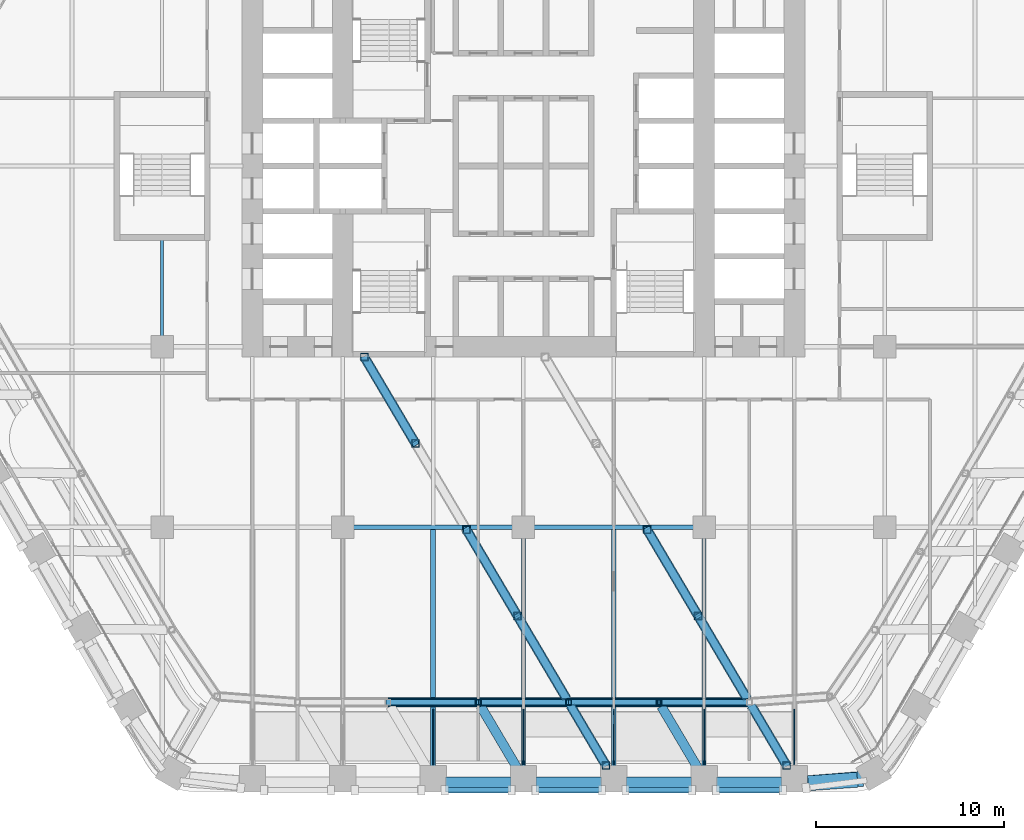
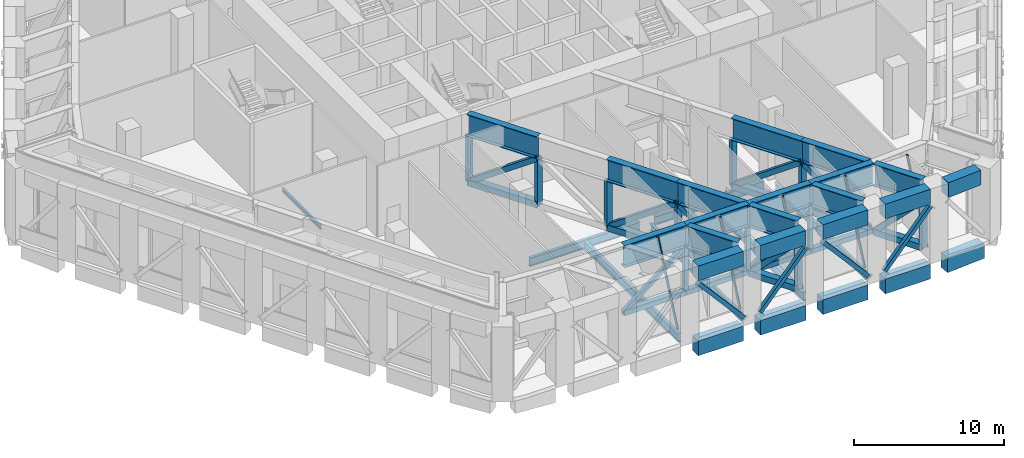
# One storey, part 4 of 35: 42 members, 30 beams, 1 element without a shape of its own.
"""IFC4 building model written with IfcOpenShell, lengths in metres."""

import ifcopenshell
import ifcopenshell.guid

model = None  # the IFC model being written
_history = None  # IfcOwnerHistory: only IFC2X3 demands one
_inside = {}  # id of a spatial element -> (the spatial element, [elements in it])
_under = {}  # id of a project, library or spatial element -> (it, [spatial elements below it])
_declared = {}  # id of a project -> (the project, [libraries it declares])
_typed = {}  # id of a type object -> (the type object, [elements of that type])
_made_of = {}  # id of a material, layer set ... -> (it, [elements and type objects made of it])


def new_model(schema):
    """Start an empty IFC model of exactly this schema.

    Asked for "IFC4X3", IfcOpenShell would pick the latest addendum, in which some entities
    have other attributes; the version numbers below select the first issue.
    IFC2X3 requires an IfcOwnerHistory on every rooted entity: one is made here for all.
    """
    global model, _history
    if schema == "IFC4X3":
        model = ifcopenshell.file(schema_version=(4, 3, 0, 0))
    else:
        model = ifcopenshell.file(schema=schema)
    _inside.clear()
    _under.clear()
    _declared.clear()
    _typed.clear()
    _made_of.clear()
    _history = None
    if model.schema == "IFC2X3":
        org = make("IfcOrganization", Name="unknown")
        user = make(
            "IfcPersonAndOrganization",
            ThePerson=make("IfcPerson", FamilyName="unknown"),
            TheOrganization=org,
        )
        app = make(
            "IfcApplication",
            ApplicationDeveloper=org,
            Version="unknown",
            ApplicationFullName="unknown",
            ApplicationIdentifier="unknown",
        )
        _history = make(
            "IfcOwnerHistory",
            OwningUser=user,
            OwningApplication=app,
            ChangeAction="ADDED",
            CreationDate=0,
        )
    return model


def make(cls, **values):
    """One entity of the class cls with the attributes given. An attribute that is None is left unset."""
    return model.create_entity(
        cls, **{name: value for name, value in values.items() if value is not None}
    )


def rooted(cls, **values):
    """An entity with a GlobalId (a new one), such as an element, a storey or a relation."""
    return make(cls, GlobalId=ifcopenshell.guid.new(), OwnerHistory=_history, **values)


def si_unit(unit_type, name, prefix=None):
    """IfcSIUnit, for example si_unit("LENGTHUNIT", "METRE", prefix="MILLI")."""
    return make("IfcSIUnit", UnitType=unit_type, Prefix=prefix, Name=name)


def assignment(units):
    """IfcUnitAssignment: the units of a project."""
    return None if units is None else make("IfcUnitAssignment", Units=units)


def point(xyz):
    """IfcCartesianPoint."""
    return None if xyz is None else make("IfcCartesianPoint", Coordinates=xyz)


def direction(xyz):
    """IfcDirection."""
    return None if xyz is None else make("IfcDirection", DirectionRatios=xyz)


def frame(location, z_axis=None, x_axis=None):
    """IfcAxis2Placement3D, a coordinate frame: its origin and axes. An axis left out is left unset."""
    return make(
        "IfcAxis2Placement3D",
        Location=point(location),
        Axis=direction(z_axis),
        RefDirection=direction(x_axis),
    )


def frame_2d(location, x_axis=None):
    """IfcAxis2Placement2D, a coordinate frame in the plane: its origin and x axis."""
    return make(
        "IfcAxis2Placement2D", Location=point(location), RefDirection=direction(x_axis)
    )


def origin():
    """The frame at (0, 0, 0) with its axes left unset."""
    return frame((0.0, 0.0, 0.0))


def origin_2d():
    """The frame at (0, 0) in the plane with its x axis left unset."""
    return frame_2d((0.0, 0.0))


def place(relative_to, where):
    """IfcLocalPlacement: puts the frame where relative to a parent placement (None: the world)."""
    return make(
        "IfcLocalPlacement", PlacementRelTo=relative_to, RelativePlacement=where
    )


def context(
    kind, dimensions, precision=None, world=None, true_north=None, identifier=None
):
    """IfcGeometricRepresentationContext, for example the 3D "Model" context."""
    return make(
        "IfcGeometricRepresentationContext",
        ContextIdentifier=identifier,
        ContextType=kind,
        CoordinateSpaceDimension=dimensions,
        Precision=precision,
        WorldCoordinateSystem=world,
        TrueNorth=true_north,
    )


def subcontext(parent, identifier, kind, view, scale=None):
    """IfcGeometricRepresentationSubContext, for example "Body" below "Model"."""
    return make(
        "IfcGeometricRepresentationSubContext",
        ContextIdentifier=identifier,
        ContextType=kind,
        ParentContext=parent,
        TargetScale=scale,
        TargetView=view,
    )


def project(units=None, contexts=None):
    """IfcProject with its units and contexts."""
    return rooted(
        "IfcProject",
        Name="project",
        RepresentationContexts=contexts,
        UnitsInContext=assignment(units),
    )


def spatial(cls, under=None, at=None, **own):
    """A site, building, storey or space (cls), placed at a placement, below another one or the project."""
    s = rooted(cls, ObjectPlacement=at, **own)
    if under is not None:
        _under.setdefault(under.id(), (under, []))[1].append(s)
    return s


def profile(cls, at=None, kind="AREA", **sizes):
    """A parametric profile (cls). Its sizes go by their IFC names, for example OverallWidth=200.0."""
    return make(cls, ProfileType=kind, Position=at, **sizes)


def rectangle(**sizes):
    """IfcRectangleProfileDef."""
    return profile("IfcRectangleProfileDef", **sizes)


def hollow_rectangle(**sizes):
    """IfcRectangleHollowProfileDef."""
    return profile("IfcRectangleHollowProfileDef", **sizes)


def i_section(**sizes):
    """IfcIShapeProfileDef."""
    return profile("IfcIShapeProfileDef", **sizes)


def extrude(swept, where, along, depth):
    """IfcExtrudedAreaSolid: the profile swept, set in the frame where, extruded along a direction by depth."""
    return make(
        "IfcExtrudedAreaSolid",
        SweptArea=swept,
        Position=where,
        ExtrudedDirection=direction(along),
        Depth=depth,
    )


def shape(context_of_items, identifier, shape_type, items):
    """IfcShapeRepresentation: the items that make up one representation, for example the "Body"."""
    return make(
        "IfcShapeRepresentation",
        ContextOfItems=context_of_items,
        RepresentationIdentifier=identifier,
        RepresentationType=shape_type,
        Items=items,
    )


def material(Name=None, Category=None):
    """IfcMaterial."""
    return make("IfcMaterial", Name=Name, Category=Category)


def material_profile(
    of_material, cross_section, Name=None, Category=None, Priority=None
):
    """IfcMaterialProfile: a cross section and its material."""
    return make(
        "IfcMaterialProfile",
        Name=Name,
        Material=of_material,
        Profile=cross_section,
        Priority=Priority,
        Category=Category,
    )


def profile_set(profiles, Name=None, composite=None):
    """IfcMaterialProfileSet."""
    return make(
        "IfcMaterialProfileSet",
        Name=Name,
        MaterialProfiles=profiles,
        CompositeProfile=composite,
    )


def made_of(thing, what):
    """Note that an element or type object is made of a material, layer set ...; save() writes the relation."""
    if what is not None:
        _made_of.setdefault(what.id(), (what, []))[1].append(thing)
    return thing


def type_object(cls, material=None, **own):
    """A type object (cls), such as IfcWallType, which elements share."""
    return made_of(rooted(cls, **own), material)


def element(
    cls,
    number,
    at=None,
    inside=None,
    cuts=None,
    type_object=None,
    material=None,
    context=None,
    identifier="Body",
    shape_type=None,
    held_by="IfcProductDefinitionShape",
    body=None,
    shapes=None,
    **own,
):
    """One element of the class cls, such as IfcWall. Its Tag is "e" and its number.

    at: its placement. inside: the storey or other place that contains it. cuts: it is an
    opening in that element (IfcRelVoidsElement). A single representation is given by context,
    identifier, shape_type and body (its items); several are given by shapes. held_by: the class
    of the entity that holds the representations. save() writes the other relations.
    """
    e = rooted(cls, Tag="e%d" % number, ObjectPlacement=at, **own)
    if body is not None:
        shapes = [shape(context, identifier, shape_type, body)]
    if shapes is not None:
        e.Representation = make(held_by, Representations=shapes)
    if inside is not None:
        _inside.setdefault(inside.id(), (inside, []))[1].append(e)
    if cuts is not None:
        rooted(
            "IfcRelVoidsElement", RelatingBuildingElement=cuts, RelatedOpeningElement=e
        )
    if type_object is not None:
        _typed.setdefault(type_object.id(), (type_object, []))[1].append(e)
    return made_of(e, material)


def aggregate(whole, parts):
    """IfcRelAggregates: a whole, such as a stair, and the parts it consists of."""
    return rooted("IfcRelAggregates", RelatingObject=whole, RelatedObjects=parts)


def save(model, path):
    """Write the relations noted so far, then the file.

    IfcRelAggregates (storeys below a building ...), IfcRelContainedInSpatialStructure (elements
    in a storey), IfcRelDefinesByType, IfcRelAssociatesMaterial and IfcRelDeclares: one each for
    every whole, place, type object, material and project.
    """
    for whole, parts in _under.values():
        aggregate(whole, parts)
    for where, things in _inside.values():
        rooted(
            "IfcRelContainedInSpatialStructure",
            RelatedElements=things,
            RelatingStructure=where,
        )
    for kind, things in _typed.values():
        rooted("IfcRelDefinesByType", RelatedObjects=things, RelatingType=kind)
    for what, things in _made_of.values():
        rooted("IfcRelAssociatesMaterial", RelatedObjects=things, RelatingMaterial=what)
    for by, libraries in _declared.values():
        rooted("IfcRelDeclares", RelatingContext=by, RelatedDefinitions=libraries)
    model.write(path)


model = new_model("IFC4")

# Units and contexts
model_context = context("Model", 3, precision=1e-05, world=origin(), true_north=direction((0.0, 1.0)))
body_context = subcontext(model_context, "Body", "Model", "MODEL_VIEW")
ifc_project = project(units=[si_unit("LENGTHUNIT", "METRE"), si_unit("AREAUNIT", "SQUARE_METRE"), si_unit("VOLUMEUNIT", "CUBIC_METRE"), si_unit("PLANEANGLEUNIT", "RADIAN"), si_unit("MASSUNIT", "GRAM", prefix="KILO")], contexts=[model_context])

# Site, building, storey
site_placement = place(None, origin())
site = spatial("IfcSite", under=ifc_project, at=site_placement, CompositionType="ELEMENT")
building_placement = place(site_placement, origin())
building = spatial("IfcBuilding", under=site, at=building_placement, Name="Kolab Exchange Tower", CompositionType="ELEMENT")
storey_placement = place(building_placement, frame((0.0, 0.0, 71.89990234375)))
storey = spatial("IfcBuildingStorey", under=building, at=storey_placement, Name="L13", CompositionType="ELEMENT", Elevation=71.89990234375)

# Members
ifc_material_1 = material(Name="Steel S355", Category="steel")
ifc_material_profile_1 = material_profile(ifc_material_1, hollow_rectangle(XDim=0.300048828125, YDim=0.300048828125, WallThickness=0.01611328125, at=origin_2d()), Name="HSS300X300X16")
ifc_profile_set_1 = profile_set([ifc_material_profile_1], Name="Steel S355")
member_type_1 = type_object("IfcMemberType", Name="BELT TRUSS BRACE HSS300X300X16", PredefinedType="BRACE", material=ifc_profile_set_1)
for number, where, z_axis, x_axis, name in (
    (1, (12.0, -28.49853515625, 0.25), (-0.788027411976, 0.0, 0.615640152991), (0.0, -1.0, 0.0), "mem/L13/ring/d-F4-02"),
    (2, (7.199951171875, -28.49853515625, 4.0), (-0.788027411976, 0.0, -0.615640152991), (0.0, -1.0, 0.0), "mem/L13/ring/d-F4-03"),
):
    element("IfcMember", number, at=place(storey_placement, frame(where, z_axis=z_axis, x_axis=x_axis)), inside=storey, type_object=member_type_1, Name=name, PredefinedType="BRACE", context=body_context, shape_type="SweptSolid", body=[
        extrude(hollow_rectangle(XDim=0.300048828125, YDim=0.300048828125, WallThickness=0.01611328125, at=origin_2d()), origin(), (0.0, 0.0, 1.0), 6.09130859375),
    ])
member_1_placement = place(storey_placement, frame((2.39990234375, -28.49853515625, 0.25), z_axis=(-0.788012220143, 0.0, 0.61565959824), x_axis=(0.0, -1.0, 0.0)))
element("IfcMember", 3, at=member_1_placement, inside=storey, type_object=member_type_1, Name="mem/L13/ring/d-F4-04", PredefinedType="BRACE", context=body_context, shape_type="SweptSolid", body=[
    extrude(hollow_rectangle(XDim=0.300048828125, YDim=0.300048828125, WallThickness=0.01611328125, at=origin_2d()), origin(), (0.0, 0.0, 1.0), 6.091064453125),
])
member_2_placement = place(storey_placement, frame((-2.39990234375, -28.49853515625, 4.0), z_axis=(-0.788027411976, 0.0, -0.615640152991), x_axis=(0.0, -1.0, 0.0)))
element("IfcMember", 4, at=member_2_placement, inside=storey, type_object=member_type_1, Name="mem/L13/ring/d-F4-05", PredefinedType="BRACE", context=body_context, shape_type="SweptSolid", body=[
    extrude(hollow_rectangle(XDim=0.300048828125, YDim=0.300048828125, WallThickness=0.01611328125, at=origin_2d()), origin(), (0.0, 0.0, 1.0), 6.09130859375),
])
for number, where, z_axis, x_axis, name in (
    (5, (13.76611328125, -33.1796875, 4.4501953125), (-0.65728476619, 0.0, -0.753642313127), (0.0, -1.0, 0.0), "mem/L13/fb/F4-02"),
    (6, (8.966064453125, -33.1796875, 0.400146484375), (-0.65728476619, 0.0, 0.753642313127), (0.0, -1.0, 0.0), "mem/L13/fb/F4-03"),
    (7, (4.166015625, -33.1796875, 4.4501953125), (-0.65728476619, 0.0, -0.753642313127), (0.0, -1.0, 0.0), "mem/L13/fb/F4-04"),
    (8, (-0.6337890625, -33.1796875, 0.400146484375), (-0.65728476619, 0.0, 0.753642313127), (0.0, -1.0, 0.0), "mem/L13/fb/F4-05"),
):
    element("IfcMember", number, at=place(storey_placement, frame(where, z_axis=z_axis, x_axis=x_axis)), inside=storey, type_object=member_type_1, Name=name, PredefinedType="BRACE", context=body_context, shape_type="SweptSolid", body=[
        extrude(hollow_rectangle(XDim=0.300048828125, YDim=0.300048828125, WallThickness=0.01611328125, at=origin_2d()), origin(), (0.0, 0.0, 1.0), 5.3740234375),
    ])
ifc_material_profile_2 = material_profile(ifc_material_1, hollow_rectangle(XDim=0.39990234375, YDim=0.39990234375, WallThickness=0.02001953125, at=origin_2d()), Name="HSS400X400X20")
ifc_profile_set_2 = profile_set([ifc_material_profile_2], Name="Steel S355")
member_type_2 = type_object("IfcMemberType", Name="BELT TRUSS CHORD HSS400X400X20", PredefinedType="CHORD", material=ifc_profile_set_2)
for number, where, z_axis, x_axis, name in (
    (9, (12.0, -28.49853515625, 0.25), (-1.0, 0.0, 0.0), (0.0, -1.0, 0.0), "mem/L13/ring/c-F4-02"),
    (10, (7.199951171875, -28.49853515625, 0.25), (-1.0, 0.0, 0.0), (0.0, -1.0, 0.0), "mem/L13/ring/c-F4-03"),
):
    element("IfcMember", number, at=place(storey_placement, frame(where, z_axis=z_axis, x_axis=x_axis)), inside=storey, type_object=member_type_2, Name=name, PredefinedType="CHORD", context=body_context, shape_type="SweptSolid", body=[
        extrude(hollow_rectangle(XDim=0.39990234375, YDim=0.39990234375, WallThickness=0.02001953125, at=origin_2d()), origin(), (0.0, 0.0, 1.0), 4.800048828125),
    ])
member_3_placement = place(storey_placement, frame((2.39990234375, -28.49853515625, 0.25), z_axis=(-1.0, 0.0, 0.0), x_axis=(0.0, -1.0, 0.0)))
element("IfcMember", 11, at=member_3_placement, inside=storey, type_object=member_type_2, Name="mem/L13/ring/c-F4-04", PredefinedType="CHORD", context=body_context, shape_type="SweptSolid", body=[
    extrude(hollow_rectangle(XDim=0.39990234375, YDim=0.39990234375, WallThickness=0.02001953125, at=origin_2d()), origin(), (0.0, 0.0, 1.0), 4.7998046875),
])
member_4_placement = place(storey_placement, frame((-2.39990234375, -28.49853515625, 0.25), z_axis=(-1.0, 0.0, 0.0), x_axis=(0.0, -1.0, 0.0)))
element("IfcMember", 12, at=member_4_placement, inside=storey, type_object=member_type_2, Name="mem/L13/ring/c-F4-05", PredefinedType="CHORD", context=body_context, shape_type="SweptSolid", body=[
    extrude(hollow_rectangle(XDim=0.39990234375, YDim=0.39990234375, WallThickness=0.02001953125, at=origin_2d()), origin(), (0.0, 0.0, 1.0), 4.800048828125),
])

# Beams
ifc_material_profile_3 = material_profile(ifc_material_1, i_section(OverallWidth=0.5, OverallDepth=1.800048828125, WebThickness=0.031982421875, FlangeThickness=0.050048828125, at=origin_2d()), Name="PG1800X500")
ifc_profile_set_3 = profile_set([ifc_material_profile_3], Name="Steel S355")
beam_type_1 = type_object("IfcBeamType", Name="BELT TRUSS GIRDER PG1800X500", PredefinedType="BEAM", material=ifc_profile_set_3)
for number, where, z_axis, x_axis, name in (
    (13, (12.0, -28.49853515625, 4.900146484375), (-1.0, 0.0, 0.0), (0.0, -1.0, 0.0), "beam/L13/bg/F4-run0"),
    (14, (7.199951171875, -28.49853515625, 4.900146484375), (-1.0, 0.0, 0.0), (0.0, -1.0, 0.0), "beam/L13/bg/F4-run1"),
):
    element("IfcBeam", number, at=place(storey_placement, frame(where, z_axis=z_axis, x_axis=x_axis)), inside=storey, type_object=beam_type_1, Name=name, PredefinedType="BEAM", context=body_context, shape_type="SweptSolid", body=[
        extrude(i_section(OverallWidth=0.5, OverallDepth=1.800048828125, WebThickness=0.031982421875, FlangeThickness=0.050048828125, at=origin_2d()), origin(), (0.0, 0.0, 1.0), 4.800048828125),
    ])
beam_1_placement = place(storey_placement, frame((2.39990234375, -28.49853515625, 4.900146484375), z_axis=(-1.0, 0.0, 0.0), x_axis=(0.0, -1.0, 0.0)))
element("IfcBeam", 15, at=beam_1_placement, inside=storey, type_object=beam_type_1, Name="beam/L13/bg/F4-run2", PredefinedType="BEAM", context=body_context, shape_type="SweptSolid", body=[
    extrude(i_section(OverallWidth=0.5, OverallDepth=1.800048828125, WebThickness=0.031982421875, FlangeThickness=0.050048828125, at=origin_2d()), origin(), (0.0, 0.0, 1.0), 4.7998046875),
])
beam_2_placement = place(storey_placement, frame((-2.39990234375, -28.49853515625, 4.900146484375), z_axis=(-1.0, 0.0, 0.0), x_axis=(0.0, -1.0, 0.0)))
element("IfcBeam", 16, at=beam_2_placement, inside=storey, type_object=beam_type_1, Name="beam/L13/bg/F4-run3", PredefinedType="BEAM", context=body_context, shape_type="SweptSolid", body=[
    extrude(i_section(OverallWidth=0.5, OverallDepth=1.800048828125, WebThickness=0.031982421875, FlangeThickness=0.050048828125, at=origin_2d()), origin(), (0.0, 0.0, 1.0), 4.800048828125),
])

# Members
ifc_material_profile_4 = material_profile(ifc_material_1, hollow_rectangle(XDim=0.300048828125, YDim=0.300048828125, WallThickness=0.01611328125, at=origin_2d()), Name="HSS300X300X16")
ifc_profile_set_4 = profile_set([ifc_material_profile_4], Name="Steel S355")
member_type_3 = type_object("IfcMemberType", Name="BELT TRUSS POST HSS300X300X16", PredefinedType="POST", material=ifc_profile_set_4)
for number, where, z_axis, x_axis, name in (
    (17, (7.199951171875, -28.49853515625, 0.25), (0.0, 0.0, 1.0), (1.0, 0.0, 0.0), "mem/L13/ring/p-F4-03"),
    (18, (2.39990234375, -28.49853515625, 0.25), (0.0, 0.0, 1.0), (1.0, 0.0, 0.0), "mem/L13/ring/p-F4-04"),
    (19, (-2.39990234375, -28.49853515625, 0.25), (0.0, 0.0, 1.0), (1.0, 0.0, 0.0), "mem/L13/ring/p-F4-05"),
):
    element("IfcMember", number, at=place(storey_placement, frame(where, z_axis=z_axis, x_axis=x_axis)), inside=storey, type_object=member_type_3, Name=name, PredefinedType="POST", context=body_context, shape_type="SweptSolid", body=[
        extrude(hollow_rectangle(XDim=0.300048828125, YDim=0.300048828125, WallThickness=0.01611328125, at=origin_2d()), origin(), (0.0, 0.0, 1.0), 3.75),
    ])

# Curtain wall, members
ifc_material_2 = material(Name="Aluminium EN AW-6063 T6", Category="aluminium")
curtain_wall_type = type_object("IfcCurtainWallType", Name="CANTED BAND CURTAIN WALL", PredefinedType="NOTDEFINED", material=ifc_material_2)
curtain_wall_placement = place(storey_placement, origin())
curtain_wall = element("IfcCurtainWall", 20, at=curtain_wall_placement, inside=storey, type_object=curtain_wall_type, Name="band/L13/F4", PredefinedType="NOTDEFINED")
ifc_material_profile_5 = material_profile(ifc_material_2, rectangle(XDim=0.06005859375, YDim=0.300048828125, at=origin_2d()), Name="RECT 60X300")
ifc_profile_set_5 = profile_set([ifc_material_profile_5], Name="Aluminium EN AW-6063 T6")
member_type_4 = type_object("IfcMemberType", Name="CANTED BAND MULLION 60 X 300", PredefinedType="MULLION", material=ifc_profile_set_5)
member_5_placement = place(storey_placement, frame((14.39990234375, -31.67529296875, -0.099853515625), z_axis=(0.0, 0.410847632271, 0.91170402163), x_axis=(-1.0, 0.0, 0.0)))
member_5 = element("IfcMember", 21, at=member_5_placement, type_object=member_type_4, Name="Band mullion", PredefinedType="MULLION", context=body_context, shape_type="SweptSolid", body=[
    extrude(rectangle(XDim=0.06005859375, YDim=0.300048828125, at=origin_2d()), origin(), (0.0, 0.0, 1.0), 6.51513671875),
])
member_6_placement = place(storey_placement, frame((9.60009765625, -31.67529296875, -0.099853515625), z_axis=(0.0, 0.410847632271, 0.91170402163), x_axis=(-1.0, 0.0, 0.0)))
member_6 = element("IfcMember", 22, at=member_6_placement, type_object=member_type_4, Name="Band mullion", PredefinedType="MULLION", context=body_context, shape_type="SweptSolid", body=[
    extrude(rectangle(XDim=0.06005859375, YDim=0.300048828125, at=origin_2d()), origin(), (0.0, 0.0, 1.0), 6.51513671875),
])
member_7_placement = place(storey_placement, frame((4.800048828125, -31.67529296875, -0.099853515625), z_axis=(0.0, 0.410847632271, 0.91170402163), x_axis=(-1.0, 0.0, 0.0)))
member_7 = element("IfcMember", 23, at=member_7_placement, type_object=member_type_4, Name="Band mullion", PredefinedType="MULLION", context=body_context, shape_type="SweptSolid", body=[
    extrude(rectangle(XDim=0.06005859375, YDim=0.300048828125, at=origin_2d()), origin(), (0.0, 0.0, 1.0), 6.51513671875),
])
member_8_placement = place(storey_placement, frame((0.0, -31.67529296875, -0.099853515625), z_axis=(0.0, 0.410847632271, 0.91170402163), x_axis=(-1.0, 0.0, 0.0)))
member_8 = element("IfcMember", 24, at=member_8_placement, type_object=member_type_4, Name="Band mullion", PredefinedType="MULLION", context=body_context, shape_type="SweptSolid", body=[
    extrude(rectangle(XDim=0.06005859375, YDim=0.300048828125, at=origin_2d()), origin(), (0.0, 0.0, 1.0), 6.51513671875),
])
member_9_placement = place(storey_placement, frame((-4.800048828125, -31.67529296875, -0.099853515625), z_axis=(0.0, 0.410847632271, 0.91170402163), x_axis=(-1.0, 0.0, 0.0)))
member_9 = element("IfcMember", 25, at=member_9_placement, type_object=member_type_4, Name="Band mullion", PredefinedType="MULLION", context=body_context, shape_type="SweptSolid", body=[
    extrude(rectangle(XDim=0.06005859375, YDim=0.300048828125, at=origin_2d()), origin(), (0.0, 0.0, 1.0), 6.51513671875),
])
aggregate(curtain_wall, [member_5, member_6, member_7, member_8, member_9])

# Beams
ifc_material_profile_6 = material_profile(ifc_material_1, i_section(OverallWidth=0.1650390625, OverallDepth=0.31005859375, WebThickness=0.005859375, FlangeThickness=0.009765625, at=origin_2d()), Name="W310X39")
ifc_profile_set_6 = profile_set([ifc_material_profile_6], Name="Steel S355")
beam_type_2 = type_object("IfcBeamType", Name="FLOOR BEAM W310X39", PredefinedType="BEAM", material=ifc_profile_set_6)
beam_3_placement = place(storey_placement, frame((-19.199951171875, -9.0400390625, -0.454833984375), z_axis=(0.0, 1.0, 0.0), x_axis=(-1.0, 0.0, 0.0)))
element("IfcBeam", 26, at=beam_3_placement, inside=storey, type_object=beam_type_2, Name="beam/L13/fr/014", PredefinedType="BEAM", context=body_context, shape_type="SweptSolid", body=[
    extrude(i_section(OverallWidth=0.1650390625, OverallDepth=0.31005859375, WebThickness=0.005859375, FlangeThickness=0.009765625, at=origin_2d()), origin(), (0.0, 0.0, 1.0), 5.130126953125),
])
ifc_material_profile_7 = material_profile(ifc_material_1, i_section(OverallWidth=0.22802734375, OverallDepth=0.60791015625, WebThickness=0.01123046875, FlangeThickness=0.017333984375, at=origin_2d()), Name="W610X113")
ifc_profile_set_7 = profile_set([ifc_material_profile_7], Name="Steel S355")
beam_type_3 = type_object("IfcBeamType", Name="FLOOR BEAM W610X113", PredefinedType="BEAM", material=ifc_profile_set_7)
for number, where, z_axis, x_axis, name in (
    (27, (0.0, -31.8955078125, -0.60400390625), (0.0, 1.0, 0.0), (-1.0, 0.0, 0.0), "beam/L13/fr/030"),
    (28, (9.60009765625, -31.8955078125, -0.60400390625), (0.0, 1.0, 0.0), (-1.0, 0.0, 0.0), "beam/L13/fr/038"),
):
    element("IfcBeam", number, at=place(storey_placement, frame(where, z_axis=z_axis, x_axis=x_axis)), inside=storey, type_object=beam_type_3, Name=name, PredefinedType="BEAM", context=body_context, shape_type="SweptSolid", body=[
        extrude(i_section(OverallWidth=0.22802734375, OverallDepth=0.60791015625, WebThickness=0.01123046875, FlangeThickness=0.017333984375, at=origin_2d()), origin(), (0.0, 0.0, 1.0), 12.135498046875),
    ])
ifc_material_profile_8 = material_profile(ifc_material_1, i_section(OverallWidth=0.25390625, OverallDepth=0.68408203125, WebThickness=0.012451171875, FlangeThickness=0.018798828125, at=origin_2d()), Name="W690X140")
ifc_profile_set_8 = profile_set([ifc_material_profile_8], Name="Steel S355")
beam_type_4 = type_object("IfcBeamType", Name="FLOOR BEAM W690X140", PredefinedType="BEAM", material=ifc_profile_set_8)
for number, where, z_axis, x_axis, name in (
    (29, (-4.800048828125, -31.8955078125, -0.641845703125), (0.0, 1.0, 0.0), (-1.0, 0.0, 0.0), "beam/L13/fr/026"),
    (30, (4.800048828125, -31.8955078125, -0.641845703125), (0.0, 1.0, 0.0), (-1.0, 0.0, 0.0), "beam/L13/fr/034"),
):
    element("IfcBeam", number, at=place(storey_placement, frame(where, z_axis=z_axis, x_axis=x_axis)), inside=storey, type_object=beam_type_4, Name=name, PredefinedType="BEAM", context=body_context, shape_type="SweptSolid", body=[
        extrude(i_section(OverallWidth=0.25390625, OverallDepth=0.68408203125, WebThickness=0.012451171875, FlangeThickness=0.018798828125, at=origin_2d()), origin(), (0.0, 0.0, 1.0), 12.6083984375),
    ])
ifc_material_profile_9 = material_profile(ifc_material_1, i_section(OverallWidth=0.25390625, OverallDepth=0.68408203125, WebThickness=0.012451171875, FlangeThickness=0.018798828125, at=origin_2d()), Name="W690X140")
ifc_profile_set_9 = profile_set([ifc_material_profile_9], Name="Steel S355")
beam_type_5 = type_object("IfcBeamType", Name="FLOOR GIRDER W690X140", PredefinedType="BEAM", material=ifc_profile_set_9)
for number, where, z_axis, x_axis, name in (
    (31, (-9.0400390625, -19.199951171875, -0.641845703125), (1.0, 0.0, 0.0), (0.0, 1.0, 0.0), "beam/L13/gd/011"),
    (32, (0.56005859375, -19.199951171875, -0.641845703125), (1.0, 0.0, 0.0), (0.0, 1.0, 0.0), "beam/L13/gd/013"),
):
    element("IfcBeam", number, at=place(storey_placement, frame(where, z_axis=z_axis, x_axis=x_axis)), inside=storey, type_object=beam_type_5, Name=name, PredefinedType="BEAM", context=body_context, shape_type="SweptSolid", body=[
        extrude(i_section(OverallWidth=0.25390625, OverallDepth=0.68408203125, WebThickness=0.012451171875, FlangeThickness=0.018798828125, at=origin_2d()), origin(), (0.0, 0.0, 1.0), 8.47998046875),
    ])

# Members
ifc_material_profile_10 = material_profile(ifc_material_1, hollow_rectangle(XDim=0.39990234375, YDim=0.39990234375, WallThickness=0.02001953125, at=origin_2d()), Name="HSS400X400X20")
ifc_profile_set_10 = profile_set([ifc_material_profile_10], Name="Steel S355")
member_type_5 = type_object("IfcMemberType", Name="OUTRIGGER BRACE HSS400X400X20", PredefinedType="BRACE", material=ifc_profile_set_10)
member_10_placement = place(storey_placement, frame((6.57275390625, -19.32421875, 0.25), z_axis=(0.416406242938, -0.703900755606, 0.575438586732), x_axis=(0.860677465118, 0.50915056814, 0.0)))
element("IfcMember", 33, at=member_10_placement, inside=storey, type_object=member_type_5, Name="mem/L13/out/02/d02", PredefinedType="BRACE", context=body_context, shape_type="SweptSolid", body=[
    extrude(hollow_rectangle(XDim=0.39990234375, YDim=0.39990234375, WallThickness=0.02001953125, at=origin_2d()), origin(), (0.0, 0.0, 1.0), 6.516845703125),
])
member_11_placement = place(storey_placement, frame((9.286376953125, -23.911376953125, 4.0), z_axis=(0.410757693175, -0.69432938526, -0.590918625753), x_axis=(0.860670087674, 0.509163038901, 0.0)))
element("IfcMember", 34, at=member_11_placement, inside=storey, type_object=member_type_5, Name="mem/L13/out/02/d03", PredefinedType="BRACE", context=body_context, shape_type="SweptSolid", body=[
    extrude(hollow_rectangle(XDim=0.39990234375, YDim=0.39990234375, WallThickness=0.02001953125, at=origin_2d()), origin(), (0.0, 0.0, 1.0), 6.345947265625),
])
member_12_placement = place(storey_placement, frame((12.10693359375, -28.67919921875, 0.25), z_axis=(0.35711696568, -0.603702147024, 0.712749037532), x_axis=(0.860686731911, 0.509134903058, 0.0)))
element("IfcMember", 35, at=member_12_placement, inside=storey, type_object=member_type_5, Name="mem/L13/out/02/d04", PredefinedType="BRACE", context=body_context, shape_type="SweptSolid", body=[
    extrude(hollow_rectangle(XDim=0.39990234375, YDim=0.39990234375, WallThickness=0.02001953125, at=origin_2d()), origin(), (0.0, 0.0, 1.0), 5.26123046875),
])
for number, where, z_axis, x_axis, name in (
    (36, (-8.45458984375, -10.14990234375, 0.25), (0.416406242938, -0.703900755606, 0.575438586732), (0.860677465118, 0.50915056814, 0.0), "mem/L13/out/03/d00"),
    (37, (-3.02734375, -19.32421875, 0.25), (0.416406242938, -0.703900755606, 0.575438586732), (0.860677465118, 0.50915056814, 0.0), "mem/L13/out/03/d02"),
):
    element("IfcMember", number, at=place(storey_placement, frame(where, z_axis=z_axis, x_axis=x_axis)), inside=storey, type_object=member_type_5, Name=name, PredefinedType="BRACE", context=body_context, shape_type="SweptSolid", body=[
        extrude(hollow_rectangle(XDim=0.39990234375, YDim=0.39990234375, WallThickness=0.02001953125, at=origin_2d()), origin(), (0.0, 0.0, 1.0), 6.516845703125),
    ])
member_13_placement = place(storey_placement, frame((-0.313720703125, -23.911376953125, 4.0), z_axis=(0.410789672737, -0.694318412958, -0.590909287624), x_axis=(0.860649189626, 0.509198362523, 0.0)))
element("IfcMember", 38, at=member_13_placement, inside=storey, type_object=member_type_5, Name="mem/L13/out/03/d03", PredefinedType="BRACE", context=body_context, shape_type="SweptSolid", body=[
    extrude(hollow_rectangle(XDim=0.39990234375, YDim=0.39990234375, WallThickness=0.02001953125, at=origin_2d()), origin(), (0.0, 0.0, 1.0), 6.34619140625),
])
member_14_placement = place(storey_placement, frame((2.5068359375, -28.67919921875, 0.25), z_axis=(0.357157449723, -0.603692142509, 0.712737225898), x_axis=(0.860657741654, 0.509183907572, 0.0)))
element("IfcMember", 39, at=member_14_placement, inside=storey, type_object=member_type_5, Name="mem/L13/out/03/d04", PredefinedType="BRACE", context=body_context, shape_type="SweptSolid", body=[
    extrude(hollow_rectangle(XDim=0.39990234375, YDim=0.39990234375, WallThickness=0.02001953125, at=origin_2d()), origin(), (0.0, 0.0, 1.0), 5.261474609375),
])
ifc_material_profile_11 = material_profile(ifc_material_1, hollow_rectangle(XDim=0.5, YDim=0.5, WallThickness=0.02490234375, at=origin_2d()), Name="HSS500X500X25")
ifc_profile_set_11 = profile_set([ifc_material_profile_11], Name="Steel S355")
member_type_6 = type_object("IfcMemberType", Name="OUTRIGGER CHORD HSS500X500X25", PredefinedType="CHORD", material=ifc_profile_set_11)
member_15_placement = place(storey_placement, frame((6.57275390625, -19.32421875, 0.25), z_axis=(0.50915056814, -0.860677465118, 0.0), x_axis=(0.860677465118, 0.50915056814, 0.0)))
element("IfcMember", 40, at=member_15_placement, inside=storey, type_object=member_type_6, Name="mem/L13/out/02/c02", PredefinedType="CHORD", context=body_context, shape_type="SweptSolid", body=[
    extrude(hollow_rectangle(XDim=0.5, YDim=0.5, WallThickness=0.02490234375, at=origin_2d()), origin(), (0.0, 0.0, 1.0), 5.32958984375),
])
member_16_placement = place(storey_placement, frame((9.286376953125, -23.911376953125, 0.25), z_axis=(0.509163038901, -0.860670087674, 0.0), x_axis=(0.860670087674, 0.509163038901, 0.0)))
element("IfcMember", 41, at=member_16_placement, inside=storey, type_object=member_type_6, Name="mem/L13/out/02/c03", PredefinedType="CHORD", context=body_context, shape_type="SweptSolid", body=[
    extrude(hollow_rectangle(XDim=0.5, YDim=0.5, WallThickness=0.02490234375, at=origin_2d()), origin(), (0.0, 0.0, 1.0), 5.11962890625),
])
member_17_placement = place(storey_placement, frame((12.10693359375, -28.67919921875, 0.25), z_axis=(0.509134903058, -0.860686731911, 0.0), x_axis=(0.860686731911, 0.509134903058, 0.0)))
element("IfcMember", 42, at=member_17_placement, inside=storey, type_object=member_type_6, Name="mem/L13/out/02/c04", PredefinedType="CHORD", context=body_context, shape_type="SweptSolid", body=[
    extrude(hollow_rectangle(XDim=0.5, YDim=0.5, WallThickness=0.02490234375, at=origin_2d()), origin(), (0.0, 0.0, 1.0), 3.6904296875),
])
for number, where, z_axis, x_axis, name in (
    (43, (-8.45458984375, -10.14990234375, 0.25), (0.50915056814, -0.860677465118, 0.0), (0.860677465118, 0.50915056814, 0.0), "mem/L13/out/03/c00"),
    (44, (-3.02734375, -19.32421875, 0.25), (0.50915056814, -0.860677465118, 0.0), (0.860677465118, 0.50915056814, 0.0), "mem/L13/out/03/c02"),
):
    element("IfcMember", number, at=place(storey_placement, frame(where, z_axis=z_axis, x_axis=x_axis)), inside=storey, type_object=member_type_6, Name=name, PredefinedType="CHORD", context=body_context, shape_type="SweptSolid", body=[
        extrude(hollow_rectangle(XDim=0.5, YDim=0.5, WallThickness=0.02490234375, at=origin_2d()), origin(), (0.0, 0.0, 1.0), 5.32958984375),
    ])
member_18_placement = place(storey_placement, frame((-0.313720703125, -23.911376953125, 0.25), z_axis=(0.509198362523, -0.860649189626, 0.0), x_axis=(0.860649189626, 0.509198362523, 0.0)))
element("IfcMember", 45, at=member_18_placement, inside=storey, type_object=member_type_6, Name="mem/L13/out/03/c03", PredefinedType="CHORD", context=body_context, shape_type="SweptSolid", body=[
    extrude(hollow_rectangle(XDim=0.5, YDim=0.5, WallThickness=0.02490234375, at=origin_2d()), origin(), (0.0, 0.0, 1.0), 5.11962890625),
])
member_19_placement = place(storey_placement, frame((2.5068359375, -28.67919921875, 0.25), z_axis=(0.509183907572, -0.860657741654, 0.0), x_axis=(0.860657741654, 0.509183907572, 0.0)))
element("IfcMember", 46, at=member_19_placement, inside=storey, type_object=member_type_6, Name="mem/L13/out/03/c04", PredefinedType="CHORD", context=body_context, shape_type="SweptSolid", body=[
    extrude(hollow_rectangle(XDim=0.5, YDim=0.5, WallThickness=0.02490234375, at=origin_2d()), origin(), (0.0, 0.0, 1.0), 3.6904296875),
])

# Beams
ifc_material_profile_12 = material_profile(ifc_material_1, i_section(OverallWidth=0.5, OverallDepth=1.800048828125, WebThickness=0.031982421875, FlangeThickness=0.050048828125, at=origin_2d()), Name="PG1800X500")
ifc_profile_set_12 = profile_set([ifc_material_profile_12], Name="Steel S355")
beam_type_6 = type_object("IfcBeamType", Name="OUTRIGGER GIRDER PG1800X500", PredefinedType="BEAM", material=ifc_profile_set_12)
beam_4_placement = place(storey_placement, frame((6.57275390625, -19.32421875, 4.900146484375), z_axis=(0.50915056814, -0.860677465118, 0.0), x_axis=(0.860677465118, 0.50915056814, 0.0)))
element("IfcBeam", 47, at=beam_4_placement, inside=storey, type_object=beam_type_6, Name="beam/L13/og/02-02", PredefinedType="BEAM", context=body_context, shape_type="SweptSolid", body=[
    extrude(i_section(OverallWidth=0.5, OverallDepth=1.800048828125, WebThickness=0.031982421875, FlangeThickness=0.050048828125, at=origin_2d()), origin(), (0.0, 0.0, 1.0), 5.32958984375),
])
beam_5_placement = place(storey_placement, frame((9.286376953125, -23.911376953125, 4.900146484375), z_axis=(0.509163038901, -0.860670087674, 0.0), x_axis=(0.860670087674, 0.509163038901, 0.0)))
element("IfcBeam", 48, at=beam_5_placement, inside=storey, type_object=beam_type_6, Name="beam/L13/og/02-03", PredefinedType="BEAM", context=body_context, shape_type="SweptSolid", body=[
    extrude(i_section(OverallWidth=0.5, OverallDepth=1.800048828125, WebThickness=0.031982421875, FlangeThickness=0.050048828125, at=origin_2d()), origin(), (0.0, 0.0, 1.0), 5.11962890625),
])
beam_6_placement = place(storey_placement, frame((12.10693359375, -28.67919921875, 4.900146484375), z_axis=(0.509163611041, -0.860669749202, 0.0), x_axis=(0.860669749202, 0.509163611041, 0.0)))
element("IfcBeam", 49, at=beam_6_placement, inside=storey, type_object=beam_type_6, Name="beam/L13/og/02-04", PredefinedType="BEAM", context=body_context, shape_type="SweptSolid", body=[
    extrude(i_section(OverallWidth=0.5, OverallDepth=1.800048828125, WebThickness=0.031982421875, FlangeThickness=0.050048828125, at=origin_2d()), origin(), (0.0, 0.0, 1.0), 3.73046875),
])
beam_7_placement = place(storey_placement, frame((-8.47509765625, -10.115478515625, 4.900146484375), z_axis=(0.509170394936, -0.860665735882, 0.0), x_axis=(0.860665735882, 0.509170394936, 0.0)))
element("IfcBeam", 50, at=beam_7_placement, inside=storey, type_object=beam_type_6, Name="beam/L13/og/03-00", PredefinedType="BEAM", context=body_context, shape_type="SweptSolid", body=[
    extrude(i_section(OverallWidth=0.5, OverallDepth=1.800048828125, WebThickness=0.031982421875, FlangeThickness=0.050048828125, at=origin_2d()), origin(), (0.0, 0.0, 1.0), 5.369873046875),
])
beam_8_placement = place(storey_placement, frame((-3.02734375, -19.32421875, 4.900146484375), z_axis=(0.50915056814, -0.860677465118, 0.0), x_axis=(0.860677465118, 0.50915056814, 0.0)))
element("IfcBeam", 51, at=beam_8_placement, inside=storey, type_object=beam_type_6, Name="beam/L13/og/03-02", PredefinedType="BEAM", context=body_context, shape_type="SweptSolid", body=[
    extrude(i_section(OverallWidth=0.5, OverallDepth=1.800048828125, WebThickness=0.031982421875, FlangeThickness=0.050048828125, at=origin_2d()), origin(), (0.0, 0.0, 1.0), 5.32958984375),
])
beam_9_placement = place(storey_placement, frame((-0.313720703125, -23.911376953125, 4.900146484375), z_axis=(0.509198362523, -0.860649189626, 0.0), x_axis=(0.860649189626, 0.509198362523, 0.0)))
element("IfcBeam", 52, at=beam_9_placement, inside=storey, type_object=beam_type_6, Name="beam/L13/og/03-03", PredefinedType="BEAM", context=body_context, shape_type="SweptSolid", body=[
    extrude(i_section(OverallWidth=0.5, OverallDepth=1.800048828125, WebThickness=0.031982421875, FlangeThickness=0.050048828125, at=origin_2d()), origin(), (0.0, 0.0, 1.0), 5.11962890625),
])
beam_10_placement = place(storey_placement, frame((2.5068359375, -28.67919921875, 4.900146484375), z_axis=(0.509163611041, -0.860669749202, 0.0), x_axis=(0.860669749202, 0.509163611041, 0.0)))
element("IfcBeam", 53, at=beam_10_placement, inside=storey, type_object=beam_type_6, Name="beam/L13/og/03-04", PredefinedType="BEAM", context=body_context, shape_type="SweptSolid", body=[
    extrude(i_section(OverallWidth=0.5, OverallDepth=1.800048828125, WebThickness=0.031982421875, FlangeThickness=0.050048828125, at=origin_2d()), origin(), (0.0, 0.0, 1.0), 3.73046875),
])

# Members
ifc_material_profile_13 = material_profile(ifc_material_1, hollow_rectangle(XDim=0.39990234375, YDim=0.39990234375, WallThickness=0.02001953125, at=origin_2d()), Name="HSS400X400X20")
ifc_profile_set_13 = profile_set([ifc_material_profile_13], Name="Steel S355")
member_type_7 = type_object("IfcMemberType", Name="OUTRIGGER POST HSS400X400X20", PredefinedType="POST", material=ifc_profile_set_13)
for number, where, z_axis, x_axis, name in (
    (54, (6.57275390625, -19.32421875, 0.25), (0.0, 0.0, 1.0), (1.0, 0.0, 0.0), "mem/L13/out/02/p02"),
    (55, (9.286376953125, -23.911376953125, 0.25), (0.0, 0.0, 1.0), (1.0, 0.0, 0.0), "mem/L13/out/02/p03"),
    (56, (13.98583984375, -31.85546875, 0.25), (0.0, 0.0, 1.0), (1.0, 0.0, 0.0), "mem/L13/out/02/p05"),
    (57, (-8.45458984375, -10.14990234375, 0.25), (0.0, 0.0, 1.0), (1.0, 0.0, 0.0), "mem/L13/out/03/p00"),
    (58, (-5.740966796875, -14.737060546875, 0.25), (0.0, 0.0, 1.0), (1.0, 0.0, 0.0), "mem/L13/out/03/p01"),
    (59, (-3.02734375, -19.32421875, 0.25), (0.0, 0.0, 1.0), (1.0, 0.0, 0.0), "mem/L13/out/03/p02"),
    (60, (-0.313720703125, -23.911376953125, 0.25), (0.0, 0.0, 1.0), (1.0, 0.0, 0.0), "mem/L13/out/03/p03"),
    (61, (4.385986328125, -31.85546875, 0.25), (0.0, 0.0, 1.0), (1.0, 0.0, 0.0), "mem/L13/out/03/p05"),
):
    element("IfcMember", number, at=place(storey_placement, frame(where, z_axis=z_axis, x_axis=x_axis)), inside=storey, type_object=member_type_7, Name=name, PredefinedType="POST", context=body_context, shape_type="SweptSolid", body=[
        extrude(hollow_rectangle(XDim=0.39990234375, YDim=0.39990234375, WallThickness=0.02001953125, at=origin_2d()), origin(), (0.0, 0.0, 1.0), 3.75),
    ])

# Beams
ifc_material_3 = material(Name="Concrete C80/95", Category="concrete")
ifc_material_profile_14 = material_profile(ifc_material_3, rectangle(XDim=0.800048828125, YDim=1.199951171875, at=origin_2d()), Name="RC800X1200")
ifc_profile_set_14 = profile_set([ifc_material_profile_14], Name="Concrete C80/95")
beam_type_7 = type_object("IfcBeamType", Name="SPANDREL BEAM 800X1200 C80/95", PredefinedType="BEAM", material=ifc_profile_set_14)
beam_11_placement = place(storey_placement, frame((18.03515625, -32.5654296875, -0.89990234375), z_axis=(-0.996833978278, -0.07951112973, 0.0), x_axis=(0.07951112973, -0.996833978278, 0.0)))
element("IfcBeam", 62, at=beam_11_placement, inside=storey, type_object=beam_type_7, Name="beam/L13/sp/F4-01", PredefinedType="BEAM", context=body_context, shape_type="SweptSolid", body=[
    extrude(rectangle(XDim=0.800048828125, YDim=1.199951171875, at=origin_2d()), origin(), (0.0, 0.0, 1.0), 2.984619140625),
])
for number, where, z_axis, x_axis, name in (
    (63, (13.739990234375, -32.85546875, -0.89990234375), (-1.0, 0.0, 0.0), (0.0, -1.0, 0.0), "beam/L13/sp/F4-02"),
    (64, (8.93994140625, -32.85546875, -0.89990234375), (-1.0, 0.0, 0.0), (0.0, -1.0, 0.0), "beam/L13/sp/F4-03"),
    (65, (4.139892578125, -32.85546875, -0.89990234375), (-1.0, 0.0, 0.0), (0.0, -1.0, 0.0), "beam/L13/sp/F4-04"),
    (66, (-0.659912109375, -32.85546875, -0.89990234375), (-1.0, 0.0, 0.0), (0.0, -1.0, 0.0), "beam/L13/sp/F4-05"),
):
    element("IfcBeam", number, at=place(storey_placement, frame(where, z_axis=z_axis, x_axis=x_axis)), inside=storey, type_object=beam_type_7, Name=name, PredefinedType="BEAM", context=body_context, shape_type="SweptSolid", body=[
        extrude(rectangle(XDim=0.800048828125, YDim=1.199951171875, at=origin_2d()), origin(), (0.0, 0.0, 1.0), 3.47998046875),
    ])
beam_12_placement = place(storey_placement, frame((17.747314453125, -32.611572265625, 5.2001953125), z_axis=(-0.997338344105, -0.072912463799, 0.0), x_axis=(0.072912463799, -0.997338344105, 0.0)))
element("IfcBeam", 67, at=beam_12_placement, inside=storey, type_object=beam_type_7, Name="beam/L13/cp/F4-01", PredefinedType="BEAM", context=body_context, shape_type="SweptSolid", body=[
    extrude(rectangle(XDim=0.800048828125, YDim=1.199951171875, at=origin_2d()), origin(), (0.0, 0.0, 1.0), 2.625244140625),
])
for number, where, z_axis, x_axis, name in (
    (68, (13.739990234375, -32.85546875, 5.2001953125), (-1.0, 0.0, 0.0), (0.0, -1.0, 0.0), "beam/L13/cp/F4-02"),
    (69, (8.93994140625, -32.85546875, 5.2001953125), (-1.0, 0.0, 0.0), (0.0, -1.0, 0.0), "beam/L13/cp/F4-03"),
    (70, (4.139892578125, -32.85546875, 5.2001953125), (-1.0, 0.0, 0.0), (0.0, -1.0, 0.0), "beam/L13/cp/F4-04"),
    (71, (-0.659912109375, -32.85546875, 5.2001953125), (-1.0, 0.0, 0.0), (0.0, -1.0, 0.0), "beam/L13/cp/F4-05"),
):
    element("IfcBeam", number, at=place(storey_placement, frame(where, z_axis=z_axis, x_axis=x_axis)), inside=storey, type_object=beam_type_7, Name=name, PredefinedType="BEAM", context=body_context, shape_type="SweptSolid", body=[
        extrude(rectangle(XDim=0.800048828125, YDim=1.199951171875, at=origin_2d()), origin(), (0.0, 0.0, 1.0), 3.47998046875),
    ])
ifc_material_profile_15 = material_profile(ifc_material_1, i_section(OverallWidth=0.5, OverallDepth=1.800048828125, WebThickness=0.031982421875, FlangeThickness=0.050048828125, at=origin_2d()), Name="PG1800X500")
ifc_profile_set_15 = profile_set([ifc_material_profile_15], Name="Steel S355")
beam_type_8 = type_object("IfcBeamType", Name="TRANSFER GIRDER PG1800X500", PredefinedType="BEAM", material=ifc_profile_set_15)
beam_13_placement = place(storey_placement, frame((7.327392578125, -28.713623046875, 4.900146484375), z_axis=(0.509128457749, -0.860690544569, 0.0), x_axis=(0.860690544569, 0.509128457749, 0.0)))
element("IfcBeam", 72, at=beam_13_placement, inside=storey, type_object=beam_type_8, Name="beam/L13/tg/F4-03", PredefinedType="BEAM", context=body_context, shape_type="SweptSolid", body=[
    extrude(i_section(OverallWidth=0.5, OverallDepth=1.800048828125, WebThickness=0.031982421875, FlangeThickness=0.050048828125, at=origin_2d()), origin(), (0.0, 0.0, 1.0), 3.87353515625),
])
beam_14_placement = place(storey_placement, frame((-2.272705078125, -28.713623046875, 4.900146484375), z_axis=(0.509175144826, -0.860662925826, 0.0), x_axis=(0.860662925826, 0.509175144826, 0.0)))
element("IfcBeam", 73, at=beam_14_placement, inside=storey, type_object=beam_type_8, Name="beam/L13/tg/F4-05", PredefinedType="BEAM", context=body_context, shape_type="SweptSolid", body=[
    extrude(i_section(OverallWidth=0.5, OverallDepth=1.800048828125, WebThickness=0.031982421875, FlangeThickness=0.050048828125, at=origin_2d()), origin(), (0.0, 0.0, 1.0), 3.873779296875),
])

save(model, "model.ifc")
